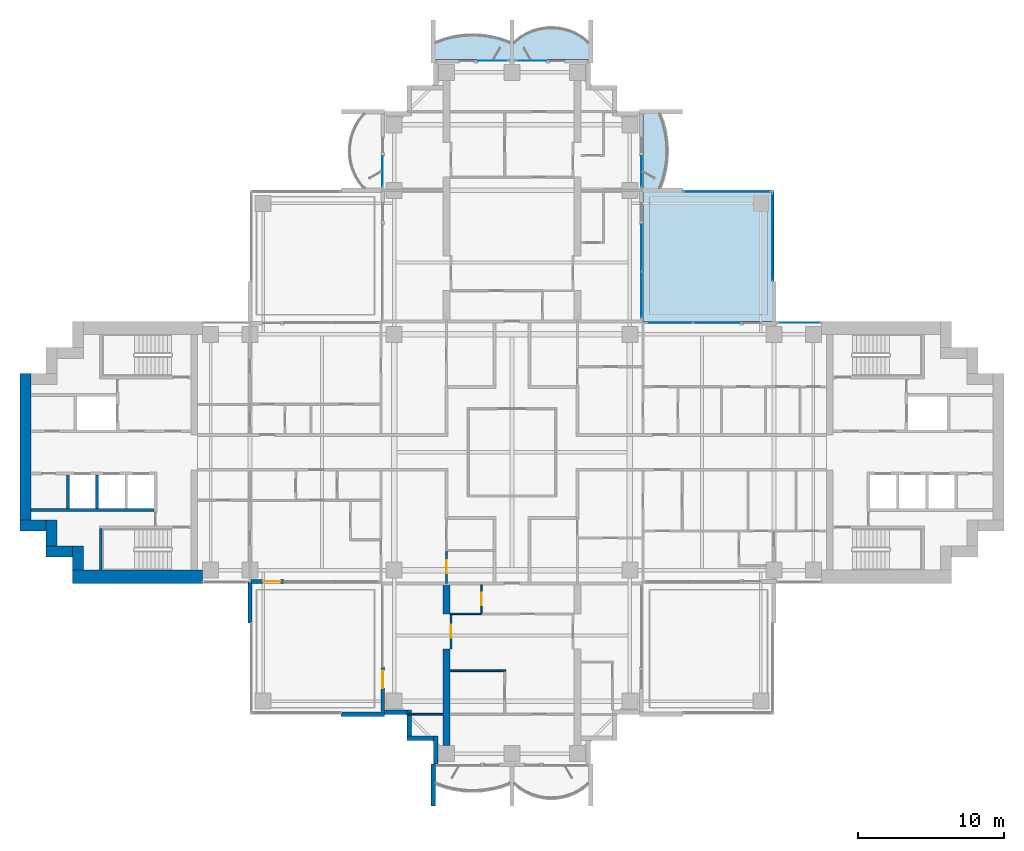
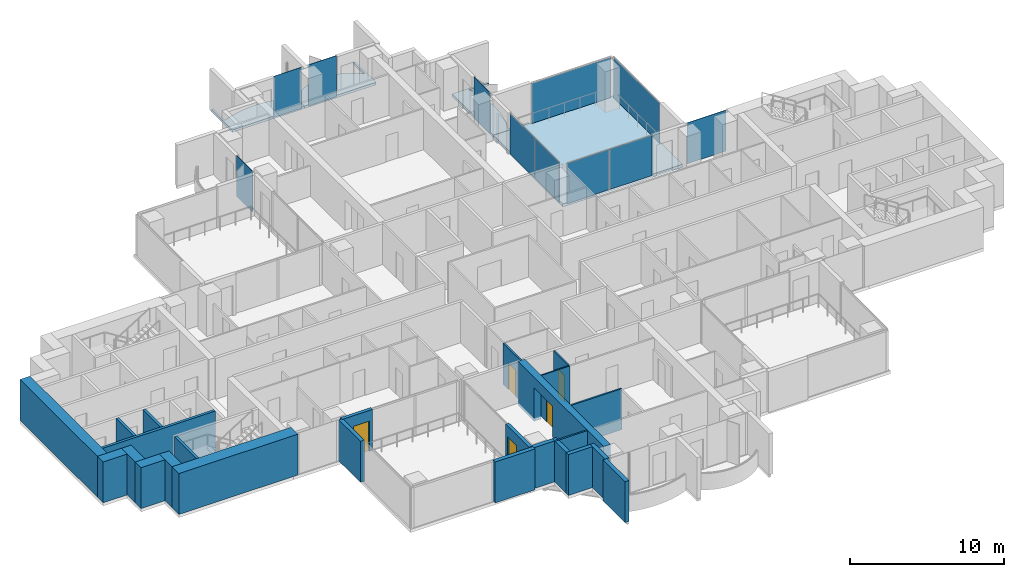
# One storey, part 8 of 19: 26 walls, 11 plates, 5 doors, 4 slabs, 5 openings, 9 elements without a shape of their own.
"""IFC4 building model written with IfcOpenShell, lengths in metres."""

from ifc_helpers import new_model, si_unit, direction, frame, frame_2d, origin, origin_2d, place, context, subcontext, project, spatial, polyline, rectangle, outline, extrude, material, layer, layer_set, material_profile, profile_set, type_object, element, fill, aggregate, save


model = new_model("IFC4")

# Units and contexts
model_context = context("Model", 3, precision=1e-05, world=origin(), true_north=direction((0.0, 1.0)))
body_context = subcontext(model_context, "Body", "Model", "MODEL_VIEW")
ifc_project = project(units=[si_unit("LENGTHUNIT", "METRE"), si_unit("AREAUNIT", "SQUARE_METRE"), si_unit("VOLUMEUNIT", "CUBIC_METRE"), si_unit("PLANEANGLEUNIT", "RADIAN"), si_unit("MASSUNIT", "GRAM", prefix="KILO")], contexts=[model_context])

# Site, building, storey
site_placement = place(None, origin())
site = spatial("IfcSite", under=ifc_project, at=site_placement, CompositionType="ELEMENT")
building_placement = place(site_placement, origin())
building = spatial("IfcBuilding", under=site, at=building_placement, Name="Perihelion Cross Residences", CompositionType="ELEMENT")
storey_placement = place(building_placement, frame((0.0, 0.0, 119.89990234375)))
storey = spatial("IfcBuildingStorey", under=building, at=storey_placement, Name="L28", CompositionType="ELEMENT", Elevation=119.89990234375)

# Slabs
ifc_material_1 = material(Name="Concrete C40/50", Category="concrete")
ifc_layer_1 = layer(ifc_material_1, 0.199951171875)
ifc_layer_set_1 = layer_set([ifc_layer_1], Name="Balcony slab 200")
slab_type_1 = type_object("IfcSlabType", Name="Balcony slab 200", PredefinedType="FLOOR", material=ifc_layer_set_1)
slab_1_placement = place(storey_placement, frame((0.0, 0.0, -0.199951171875)))
element("IfcSlab", 1, at=slab_1_placement, inside=storey, type_object=slab_type_1, Name="Slab BK1 L28 north side east bay 2 balcony", PredefinedType="FLOOR", context=body_context, shape_type="SweptSolid", body=[
    extrude(outline(polyline([(9.0, 18.0), (9.0, 23.39990234375), (11.699951171875, 23.39990234375), (11.699951171875, 23.25), (10.199951171875, 23.25), (10.423583984375, 22.612548828125), (10.57861328125, 21.97509765625), (10.669921875, 21.33740234375), (10.699951171875, 20.699951171875), (10.669921875, 20.0625), (10.57861328125, 19.425048828125), (10.423583984375, 18.78759765625), (10.199951171875, 18.14990234375), (11.699951171875, 18.14990234375), (11.699951171875, 18.0), (9.0, 18.0)])), origin(), (0.0, 0.0, 1.0), 0.199951171875),
])
slab_2_placement = place(storey_placement, frame((0.0, 0.0, -0.199951171875)))
element("IfcSlab", 2, at=slab_2_placement, inside=storey, type_object=slab_type_1, Name="Slab BK1 L28 north tip north bay 1 balcony", PredefinedType="FLOOR", context=body_context, shape_type="SweptSolid", body=[
    extrude(outline(polyline([(5.39990234375, 27.0), (0.0, 27.0), (0.0, 29.699951171875), (0.14990234375, 29.699951171875), (0.14990234375, 28.199951171875), (0.574951171875, 28.5400390625), (1.0, 28.792724609375), (1.425048828125, 28.9765625), (1.85009765625, 29.1025390625), (2.27490234375, 29.17578125), (2.699951171875, 29.199951171875), (3.125, 29.17578125), (3.550048828125, 29.1025390625), (3.97509765625, 28.9765625), (4.39990234375, 28.792724609375), (4.824951171875, 28.5400390625), (5.25, 28.199951171875), (5.25, 29.699951171875), (5.39990234375, 29.699951171875), (5.39990234375, 27.0)])), origin(), (0.0, 0.0, 1.0), 0.199951171875),
])
slab_3_placement = place(storey_placement, frame((0.0, 0.0, -0.199951171875)))
element("IfcSlab", 3, at=slab_3_placement, inside=storey, type_object=slab_type_1, Name="Slab BK1 L28 north tip north bay 2 balcony", PredefinedType="FLOOR", context=body_context, shape_type="SweptSolid", body=[
    extrude(outline(polyline([(0.0, 27.0), (-5.39990234375, 27.0), (-5.39990234375, 29.699951171875), (-5.25, 29.699951171875), (-5.25, 28.199951171875), (-4.612548828125, 28.423583984375), (-3.97509765625, 28.57861328125), (-3.33740234375, 28.669921875), (-2.699951171875, 28.699951171875), (-2.0625, 28.669921875), (-1.425048828125, 28.57861328125), (-0.78759765625, 28.423583984375), (-0.14990234375, 28.199951171875), (-0.14990234375, 29.699951171875), (0.0, 29.699951171875), (0.0, 27.0)])), origin(), (0.0, 0.0, 1.0), 0.199951171875),
])

# Curtain wall, plate
ifc_material_2 = material(Name="Bronze anodised aluminium, tinted glazing", Category="aluminium")
curtain_wall_type_1 = type_object("IfcCurtainWallType", Name="CW1", PredefinedType="NOTDEFINED", material=ifc_material_2)
curtain_wall_1_placement = place(storey_placement, origin())
curtain_wall_1 = element("IfcCurtainWall", 4, at=curtain_wall_1_placement, inside=storey, type_object=curtain_wall_type_1, Name="Curtain wall CW1 L28 east side north bay 1", PredefinedType="NOTDEFINED")
ifc_material_3 = material(Name="Tinted laminated glass", Category="glass")
ifc_layer_2 = layer(ifc_material_3, 0.028076171875)
ifc_layer_set_2 = layer_set([ifc_layer_2], Name="CW1 panel")
plate_type_1 = type_object("IfcPlateType", Name="CW1 panel", PredefinedType="CURTAIN_PANEL", material=ifc_layer_set_2)
plate_1_placement = place(storey_placement, frame((19.72509765625, 8.89990234375, 0.0), z_axis=(0.0, 0.0, 1.0), x_axis=(-1.0, 0.0, 0.0)))
plate_1 = element("IfcPlate", 5, at=plate_1_placement, type_object=plate_type_1, Name="CW1 panel 1", PredefinedType="CURTAIN_PANEL", context=body_context, shape_type="SweptSolid", body=[
    extrude(rectangle(XDim=2.929931640625, YDim=0.028076171875, at=origin_2d()), origin(), (0.0, 0.0, 1.0), 3.25),
])
aggregate(curtain_wall_1, [plate_1])

# Curtain wall, plates
curtain_wall_2_placement = place(storey_placement, origin())
curtain_wall_2 = element("IfcCurtainWall", 6, at=curtain_wall_2_placement, inside=storey, type_object=curtain_wall_type_1, Name="Curtain wall CW1 L28 east side north bay 2", PredefinedType="NOTDEFINED")
plate_2_placement = place(storey_placement, frame((14.052490234375, 8.89990234375, 0.000244140625), z_axis=(0.0, 0.0, 1.0), x_axis=(-1.0, 0.0, 0.0)))
plate_2 = element("IfcPlate", 7, at=plate_2_placement, type_object=plate_type_1, Name="CW1 panel 1", PredefinedType="CURTAIN_PANEL", context=body_context, shape_type="SweptSolid", body=[
    extrude(rectangle(XDim=3.195068359375, YDim=0.028076171875, at=origin_2d()), origin(), (0.0, 0.0, 1.0), 3.18994140625),
])
plate_3_placement = place(storey_placement, frame((10.827392578125, 8.89990234375, 0.000244140625), z_axis=(0.0, 0.0, 1.0), x_axis=(-1.0, 0.0, 0.0)))
plate_3 = element("IfcPlate", 8, at=plate_3_placement, type_object=plate_type_1, Name="CW1 panel 2", PredefinedType="CURTAIN_PANEL", context=body_context, shape_type="SweptSolid", body=[
    extrude(rectangle(XDim=3.135009765625, YDim=0.028076171875, at=origin_2d()), origin(), (0.0, 0.0, 1.0), 3.18994140625),
])
aggregate(curtain_wall_2, [plate_2, plate_3])

curtain_wall_3_placement = place(storey_placement, origin())
curtain_wall_3 = element("IfcCurtainWall", 9, at=curtain_wall_3_placement, inside=storey, type_object=curtain_wall_type_1, Name="Curtain wall CW1 L28 north side east bay 1", PredefinedType="NOTDEFINED")
plate_4_placement = place(storey_placement, frame((8.89990234375, 10.827392578125, 0.000244140625), z_axis=(0.0, 0.0, 1.0), x_axis=(0.0, 1.0, 0.0)))
plate_4 = element("IfcPlate", 10, at=plate_4_placement, type_object=plate_type_1, Name="CW1 panel 1", PredefinedType="CURTAIN_PANEL", context=body_context, shape_type="SweptSolid", body=[
    extrude(rectangle(XDim=3.135009765625, YDim=0.028076171875, at=origin_2d()), origin(), (0.0, 0.0, 1.0), 3.18994140625),
])
plate_5_placement = place(storey_placement, frame((8.89990234375, 14.052490234375, 0.000244140625), z_axis=(0.0, 0.0, 1.0), x_axis=(0.0, 1.0, 0.0)))
plate_5 = element("IfcPlate", 11, at=plate_5_placement, type_object=plate_type_1, Name="CW1 panel 2", PredefinedType="CURTAIN_PANEL", context=body_context, shape_type="SweptSolid", body=[
    extrude(rectangle(XDim=3.195068359375, YDim=0.028076171875, at=origin_2d()), origin(), (0.0, 0.0, 1.0), 3.18994140625),
])
aggregate(curtain_wall_3, [plate_4, plate_5])

# Curtain wall, plate
curtain_wall_4_placement = place(storey_placement, origin())
curtain_wall_4 = element("IfcCurtainWall", 12, at=curtain_wall_4_placement, inside=storey, type_object=curtain_wall_type_1, Name="Curtain wall CW1 L28 north side east bay 2", PredefinedType="NOTDEFINED")
plate_6_placement = place(storey_placement, frame((8.89990234375, 19.304931640625, 0.0), z_axis=(0.0, 0.0, 1.0), x_axis=(0.0, 1.0, 0.0)))
plate_6 = element("IfcPlate", 13, at=plate_6_placement, type_object=plate_type_1, Name="CW1 panel 1", PredefinedType="CURTAIN_PANEL", context=body_context, shape_type="SweptSolid", body=[
    extrude(rectangle(XDim=2.090087890625, YDim=0.028076171875, at=origin_2d()), origin(), (0.0, 0.0, 1.0), 3.25),
])
aggregate(curtain_wall_4, [plate_6])

curtain_wall_5_placement = place(storey_placement, origin())
curtain_wall_5 = element("IfcCurtainWall", 14, at=curtain_wall_5_placement, inside=storey, type_object=curtain_wall_type_1, Name="Curtain wall CW1 L28 north tip north bay 1", PredefinedType="NOTDEFINED")
plate_7_placement = place(storey_placement, frame((1.304931640625, 26.89990234375, 0.0), z_axis=(0.0, 0.0, 1.0), x_axis=(-1.0, 0.0, 0.0)))
plate_7 = element("IfcPlate", 15, at=plate_7_placement, type_object=plate_type_1, Name="CW1 panel 1", PredefinedType="CURTAIN_PANEL", context=body_context, shape_type="SweptSolid", body=[
    extrude(rectangle(XDim=2.090087890625, YDim=0.028076171875, at=origin_2d()), origin(), (0.0, 0.0, 1.0), 3.25),
])
aggregate(curtain_wall_5, [plate_7])

curtain_wall_6_placement = place(storey_placement, origin())
curtain_wall_6 = element("IfcCurtainWall", 16, at=curtain_wall_6_placement, inside=storey, type_object=curtain_wall_type_1, Name="Curtain wall CW1 L28 north tip north bay 2", PredefinedType="NOTDEFINED")
plate_8_placement = place(storey_placement, frame((-1.304931640625, 26.89990234375, 0.0), z_axis=(0.0, 0.0, 1.0), x_axis=(-1.0, 0.0, 0.0)))
plate_8 = element("IfcPlate", 17, at=plate_8_placement, type_object=plate_type_1, Name="CW1 panel 1", PredefinedType="CURTAIN_PANEL", context=body_context, shape_type="SweptSolid", body=[
    extrude(rectangle(XDim=2.090087890625, YDim=0.028076171875, at=origin_2d()), origin(), (0.0, 0.0, 1.0), 3.25),
])
aggregate(curtain_wall_6, [plate_8])

curtain_wall_7_placement = place(storey_placement, origin())
curtain_wall_7 = element("IfcCurtainWall", 18, at=curtain_wall_7_placement, inside=storey, type_object=curtain_wall_type_1, Name="Curtain wall CW1 L28 north side west bay 1", PredefinedType="NOTDEFINED")
plate_9_placement = place(storey_placement, frame((-8.89990234375, 19.304931640625, 0.0), z_axis=(0.0, 0.0, 1.0), x_axis=(0.0, -1.0, 0.0)))
plate_9 = element("IfcPlate", 19, at=plate_9_placement, type_object=plate_type_1, Name="CW1 panel 1", PredefinedType="CURTAIN_PANEL", context=body_context, shape_type="SweptSolid", body=[
    extrude(rectangle(XDim=2.090087890625, YDim=0.028076171875, at=origin_2d()), origin(), (0.0, 0.0, 1.0), 3.25),
])
aggregate(curtain_wall_7, [plate_9])

ifc_material_4 = material(Name="Bronze anodised aluminium, tinted glazing", Category="aluminium")
curtain_wall_type_2 = type_object("IfcCurtainWallType", Name="CW4", PredefinedType="NOTDEFINED", material=ifc_material_4)
curtain_wall_8_placement = place(storey_placement, origin())
curtain_wall_8 = element("IfcCurtainWall", 20, at=curtain_wall_8_placement, inside=storey, type_object=curtain_wall_type_2, Name="Curtain wall CW4 L28 pocket north-east 1 1", PredefinedType="NOTDEFINED")
ifc_material_5 = material(Name="Tinted laminated glass", Category="glass")
ifc_layer_3 = layer(ifc_material_5, 0.030029296875)
ifc_layer_set_3 = layer_set([ifc_layer_3], Name="CW4 panel")
plate_type_2 = type_object("IfcPlateType", Name="CW4 panel", PredefinedType="CURTAIN_PANEL", material=ifc_layer_set_3)
plate_10_placement = place(storey_placement, frame((14.784912109375, 17.89990234375, 0.000244140625), z_axis=(0.0, 0.0, 1.0), x_axis=(1.0, 0.0, 0.0)))
plate_10 = element("IfcPlate", 21, at=plate_10_placement, type_object=plate_type_2, Name="CW4 panel 1", PredefinedType="CURTAIN_PANEL", context=body_context, shape_type="SweptSolid", body=[
    extrude(rectangle(XDim=5.969970703125, YDim=0.030029296875, at=origin_2d()), origin(), (0.0, 0.0, 1.0), 3.18994140625),
])
aggregate(curtain_wall_8, [plate_10])

curtain_wall_9_placement = place(storey_placement, origin())
curtain_wall_9 = element("IfcCurtainWall", 22, at=curtain_wall_9_placement, inside=storey, type_object=curtain_wall_type_2, Name="Curtain wall CW4 L28 pocket north-east 1 2", PredefinedType="NOTDEFINED")
plate_11_placement = place(storey_placement, frame((17.89990234375, 14.784912109375, 0.000244140625), z_axis=(0.0, 0.0, 1.0), x_axis=(0.0, -1.0, 0.0)))
plate_11 = element("IfcPlate", 23, at=plate_11_placement, type_object=plate_type_2, Name="CW4 panel 1", PredefinedType="CURTAIN_PANEL", context=body_context, shape_type="SweptSolid", body=[
    extrude(rectangle(XDim=5.969970703125, YDim=0.030029296875, at=origin_2d()), origin(), (0.0, 0.0, 1.0), 3.18994140625),
])
aggregate(curtain_wall_9, [plate_11])

# Slab
ifc_material_6 = material(Name="Concrete C40/50", Category="concrete")
ifc_layer_4 = layer(ifc_material_6, 0.25)
ifc_layer_set_4 = layer_set([ifc_layer_4], Name="Winter garden slab")
slab_type_2 = type_object("IfcSlabType", Name="Winter garden slab", PredefinedType="FLOOR", material=ifc_layer_set_4)
slab_4_placement = place(storey_placement, frame((0.0, 0.0, -0.25)))
element("IfcSlab", 24, at=slab_4_placement, inside=storey, type_object=slab_type_2, Name="Slab BK3 L28 pocket north-east", PredefinedType="FLOOR", context=body_context, shape_type="SweptSolid", body=[
    extrude(outline(polyline([(18.0, 9.0), (18.0, 18.0), (9.0, 18.0), (9.0, 9.0), (18.0, 9.0)])), origin(), (0.0, 0.0, 1.0), 0.25),
])

# Wall, opening, door
ifc_material_7 = material(Name="Concrete C30/37, bronze-clad", Category="concrete")
ifc_layer_5 = layer(ifc_material_7, 0.25)
ifc_layer_set_5 = layer_set([ifc_layer_5], Name="Bronze-clad pier wall 250")
wall_type_1 = type_object("IfcWallType", Name="Bronze-clad pier wall 250", PredefinedType="SOLIDWALL", material=ifc_layer_set_5)
wall_1_placement = place(storey_placement, frame((-17.93994140625, -8.875, 0.0), z_axis=(0.0, 0.0, 1.0), x_axis=(1.0, 0.0, 0.0)))
wall_1 = element("IfcWall", 25, at=wall_1_placement, inside=storey, type_object=wall_type_1, Name="Wall FW1 L28 west side south bay 2 pier", PredefinedType="SOLIDWALL", context=body_context, shape_type="SweptSolid", body=[
    extrude(rectangle(XDim=2.2900390625, YDim=0.25, at=frame_2d((1.14501953125, 0.0))), origin(), (0.0, 0.0, 1.0), 3.25),
])
opening_1_placement = place(wall_1_placement, frame((0.840087890625, 0.0, 0.0)))
opening_1 = element("IfcOpeningElement", 26, at=opening_1_placement, cuts=wall_1, Name="Opening L28.E09", PredefinedType="OPENING", context=body_context, shape_type="SweptSolid", body=[
    extrude(rectangle(XDim=1.199951171875, YDim=2.39990234375, at=frame_2d((0.60009765625, 1.199951171875))), frame((0.0, 0.135009765625, 0.0), z_axis=(0.0, -1.0, 0.0), x_axis=(1.0, 0.0, 0.0)), (0.0, 0.0, 1.0), 0.27001953125),
])
ifc_material_8 = material(Name="Bronze anodised aluminium, glazed", Category="aluminium")
door_type_1 = type_object("IfcDoorType", Name="Balcony door 1200 x 2400", OperationType="NOTDEFINED", PredefinedType="DOOR", material=ifc_material_8)
door_1_placement = place(opening_1_placement, origin())
door_1 = element("IfcDoor", 27, at=door_1_placement, inside=storey, type_object=door_type_1, Name="Door L28.E09 west side south bay 2", OperationType="SINGLE_SWING_RIGHT", OverallHeight=2.39990234375, OverallWidth=1.199951171875, PredefinedType="DOOR", context=body_context, shape_type="SweptSolid", body=[
    extrude(rectangle(XDim=1.199951171875, YDim=2.39990234375, at=frame_2d((0.60009765625, 1.199951171875))), frame((0.0, 0.02490234375, 0.0), z_axis=(0.0, -1.0, 0.0), x_axis=(1.0, 0.0, 0.0)), (0.0, 0.0, 1.0), 0.050048828125),
])
fill(opening_1, door_1)

wall_2_placement = place(storey_placement, frame((-8.875, -14.75, 0.0), z_axis=(0.0, 0.0, 1.0), x_axis=(0.0, -1.0, 0.0)))
wall_2 = element("IfcWall", 28, at=wall_2_placement, inside=storey, type_object=wall_type_1, Name="Wall FW1 L28 south side west bay 1 pier", PredefinedType="SOLIDWALL", context=body_context, shape_type="SweptSolid", body=[
    extrude(rectangle(XDim=3.050048828125, YDim=0.25, at=frame_2d((1.52490234375, 0.0))), origin(), (0.0, 0.0, 1.0), 3.25),
])
opening_2_placement = place(wall_2_placement, frame((0.25, 0.0, 0.0)))
opening_2 = element("IfcOpeningElement", 29, at=opening_2_placement, cuts=wall_2, Name="Opening L28.E10", PredefinedType="OPENING", context=body_context, shape_type="SweptSolid", body=[
    extrude(rectangle(XDim=1.199951171875, YDim=2.39990234375, at=frame_2d((0.60009765625, 1.199951171875))), frame((0.0, 0.135009765625, 0.0), z_axis=(0.0, -1.0, 0.0), x_axis=(1.0, 0.0, 0.0)), (0.0, 0.0, 1.0), 0.27001953125),
])
door_2_placement = place(opening_2_placement, origin())
door_2 = element("IfcDoor", 30, at=door_2_placement, inside=storey, type_object=door_type_1, Name="Door L28.E10 south side west bay 1", OperationType="SINGLE_SWING_LEFT", OverallHeight=2.39990234375, OverallWidth=1.199951171875, PredefinedType="DOOR", context=body_context, shape_type="SweptSolid", body=[
    extrude(rectangle(XDim=1.199951171875, YDim=2.39990234375, at=frame_2d((0.60009765625, 1.199951171875))), frame((0.0, 0.02490234375, 0.0), z_axis=(0.0, -1.0, 0.0), x_axis=(1.0, 0.0, 0.0)), (0.0, 0.0, 1.0), 0.050048828125),
])
fill(opening_2, door_2)

# Walls
ifc_material_9 = material(Name="Concrete C30/37, bronze-clad", Category="concrete")
ifc_layer_6 = layer(ifc_material_9, 0.300048828125)
ifc_layer_set_6 = layer_set([ifc_layer_6], Name="Bronze-clad serration wall 300")
wall_type_2 = type_object("IfcWallType", Name="Bronze-clad serration wall 300", PredefinedType="SOLIDWALL", material=ifc_layer_set_6)
wall_3_placement = place(storey_placement, frame((-8.75, -17.85009765625, 0.0), z_axis=(0.0, 0.0, 1.0), x_axis=(1.0, 0.0, 0.0)))
element("IfcWall", 31, at=wall_3_placement, inside=storey, type_object=wall_type_2, Name="Wall SR1 L28 south corner south-west 1", PredefinedType="SOLIDWALL", context=body_context, shape_type="SweptSolid", body=[
    extrude(rectangle(XDim=1.550048828125, YDim=0.300048828125, at=frame_2d((0.77490234375, 0.0))), origin(), (0.0, 0.0, 1.0), 3.25),
])
for number, where, z_axis, x_axis, name in (
    (32, (-7.050048828125, -17.699951171875, 0.0), (0.0, 0.0, 1.0), (0.0, -1.0, 0.0), "Wall SR1 L28 south corner south-west 2"),
    (33, (-7.199951171875, -19.64990234375, 0.0), (0.0, 0.0, 1.0), (1.0, 0.0, 0.0), "Wall SR1 L28 south corner south-west 3"),
):
    element("IfcWall", number, at=place(storey_placement, frame(where, z_axis=z_axis, x_axis=x_axis)), inside=storey, type_object=wall_type_2, Name=name, PredefinedType="SOLIDWALL", context=body_context, shape_type="SweptSolid", body=[
        extrude(rectangle(XDim=1.800048828125, YDim=0.300048828125, at=frame_2d((0.89990234375, 0.0))), origin(), (0.0, 0.0, 1.0), 3.25),
    ])
wall_4_placement = place(storey_placement, frame((-5.25, -19.5, 0.0), z_axis=(0.0, 0.0, 1.0), x_axis=(0.0, -1.0, 0.0)))
element("IfcWall", 34, at=wall_4_placement, inside=storey, type_object=wall_type_2, Name="Wall SR1 L28 south corner south-west 4", PredefinedType="SOLIDWALL", context=body_context, shape_type="SweptSolid", body=[
    extrude(rectangle(XDim=1.919921875, YDim=0.300048828125, at=frame_2d((0.9599609375, 0.0))), origin(), (0.0, 0.0, 1.0), 3.25),
])
ifc_material_10 = material(Name="Concrete C60/75", Category="concrete")
ifc_layer_7 = layer(ifc_material_10, 0.75)
ifc_layer_set_7 = layer_set([ifc_layer_7], Name="Core wall, outer 750")
wall_type_3 = type_object("IfcWallType", Name="Core wall, outer 750", PredefinedType="SHEAR", material=ifc_layer_set_7)
wall_5_placement = place(storey_placement, frame((-29.824951171875, -8.10009765625, 0.0), z_axis=(0.0, 0.0, 1.0), x_axis=(0.0, 1.0, 0.0)))
element("IfcWall", 35, at=wall_5_placement, inside=storey, type_object=wall_type_3, Name="West core core wall, outer", PredefinedType="SHEAR", context=body_context, shape_type="SweptSolid", body=[
    extrude(rectangle(XDim=1.650146484375, YDim=0.75, at=frame_2d((0.8251953125, 0.0))), origin(), (0.0, 0.0, 1.0), 3.25),
])
for number, where, z_axis, x_axis, name in (
    (36, (-32.0, -6.824951171875, 0.0), (0.0, 0.0, 1.0), (1.0, 0.0, 0.0), "West core core wall, outer"),
    (37, (-31.625, -6.449951171875, 0.0), (0.0, 0.0, 1.0), (0.0, 1.0, 0.0), "West core core wall, outer"),
    (38, (-33.800048828125, -5.02490234375, 0.0), (0.0, 0.0, 1.0), (1.0, 0.0, 0.0), "West core core wall, outer"),
):
    element("IfcWall", number, at=place(storey_placement, frame(where, z_axis=z_axis, x_axis=x_axis)), inside=storey, type_object=wall_type_3, Name=name, PredefinedType="SHEAR", context=body_context, shape_type="SweptSolid", body=[
        extrude(rectangle(XDim=1.800048828125, YDim=0.75, at=frame_2d((0.89990234375, 0.0))), origin(), (0.0, 0.0, 1.0), 3.25),
    ])
wall_6_placement = place(storey_placement, frame((-33.425048828125, -4.64990234375, 0.0), z_axis=(0.0, 0.0, 1.0), x_axis=(0.0, 1.0, 0.0)))
element("IfcWall", 39, at=wall_6_placement, inside=storey, type_object=wall_type_3, Name="West core core wall, outer", PredefinedType="SHEAR", context=body_context, shape_type="SweptSolid", body=[
    extrude(rectangle(XDim=10.0498046875, YDim=0.75, at=frame_2d((5.02490234375, 0.0))), origin(), (0.0, 0.0, 1.0), 3.25),
])
ifc_material_11 = material(Name="Concrete C60/75", Category="concrete")
ifc_layer_8 = layer(ifc_material_11, 0.89990234375)
ifc_layer_set_8 = layer_set([ifc_layer_8], Name="Core wall, outer 900")
wall_type_4 = type_object("IfcWallType", Name="Core wall, outer 900", PredefinedType="SHEAR", material=ifc_layer_set_8)
wall_7_placement = place(storey_placement, frame((-30.199951171875, -8.550048828125, 0.0), z_axis=(0.0, 0.0, 1.0), x_axis=(1.0, 0.0, 0.0)))
element("IfcWall", 40, at=wall_7_placement, inside=storey, type_object=wall_type_4, Name="West core core wall, outer", PredefinedType="SHEAR", context=body_context, shape_type="SweptSolid", body=[
    extrude(rectangle(XDim=8.949951171875, YDim=0.89990234375, at=frame_2d((4.47509765625, 0.0))), origin(), (0.0, 0.0, 1.0), 3.25),
])

# Wall, opening, door
ifc_material_12 = material(Name="Plasterboard partition")
ifc_layer_9 = layer(ifc_material_12, 0.1201171875)
ifc_layer_set_9 = layer_set([ifc_layer_9], Name="Infill panel 120")
wall_type_5 = type_object("IfcWallType", Name="Infill panel 120", PredefinedType="PARTITIONING", material=ifc_layer_set_9)
wall_8_placement = place(storey_placement, frame((-4.18994140625, -11.10009765625, 0.0), z_axis=(0.0, 0.0, 1.0), x_axis=(0.0, -1.0, 0.0)))
wall_8 = element("IfcWall", 41, at=wall_8_placement, inside=storey, type_object=wall_type_5, Name="Partition L28 WI06", PredefinedType="PARTITIONING", context=body_context, shape_type="SweptSolid", body=[
    extrude(rectangle(XDim=2.39990234375, YDim=0.1201171875, at=frame_2d((1.199951171875, 0.0))), origin(), (0.0, 0.0, 1.0), 2.400146484375),
])
opening_3_placement = place(wall_8_placement, frame((0.75, 0.0, 0.0)))
opening_3 = element("IfcOpeningElement", 42, at=opening_3_placement, cuts=wall_8, Name="Opening L28.A58", PredefinedType="OPENING", context=body_context, shape_type="SweptSolid", body=[
    extrude(rectangle(XDim=0.89990234375, YDim=2.10009765625, at=frame_2d((0.449951171875, 1.050048828125))), frame((0.0, 0.070068359375, 0.0), z_axis=(0.0, -1.0, 0.0), x_axis=(1.0, 0.0, 0.0)), (0.0, 0.0, 1.0), 0.14013671875),
])
ifc_material_13 = material(Name="Timber door leaf", Category="wood")
door_type_2 = type_object("IfcDoorType", Name="Interior room door 900 x 2100", OperationType="SINGLE_SWING_LEFT", PredefinedType="DOOR", material=ifc_material_13)
door_3_placement = place(opening_3_placement, origin())
door_3 = element("IfcDoor", 43, at=door_3_placement, inside=storey, type_object=door_type_2, Name="Door L28.A58", OperationType="SINGLE_SWING_RIGHT", OverallHeight=2.10009765625, OverallWidth=0.89990234375, PredefinedType="DOOR", context=body_context, shape_type="SweptSolid", body=[
    extrude(rectangle(XDim=0.89990234375, YDim=2.10009765625, at=frame_2d((0.449951171875, 1.050048828125))), frame((0.0, 0.02490234375, 0.0), z_axis=(0.0, -1.0, 0.0), x_axis=(1.0, 0.0, 0.0)), (0.0, 0.0, 1.0), 0.050048828125),
])
fill(opening_3, door_3)

ifc_material_14 = material(Name="Plasterboard partition")
ifc_layer_10 = layer(ifc_material_14, 0.1201171875)
ifc_layer_set_10 = layer_set([ifc_layer_10], Name="Partition wall 120")
wall_type_6 = type_object("IfcWallType", Name="Partition wall 120", PredefinedType="PARTITIONING", material=ifc_layer_set_10)
wall_9_placement = place(storey_placement, frame((-4.5, -6.75, 0.0), z_axis=(0.0, 0.0, 1.0), x_axis=(0.0, -1.0, 0.0)))
wall_9 = element("IfcWall", 44, at=wall_9_placement, inside=storey, type_object=wall_type_6, Name="Partition L28 W064", PredefinedType="PARTITIONING", context=body_context, shape_type="SweptSolid", body=[
    extrude(rectangle(XDim=2.25, YDim=0.1201171875, at=frame_2d((1.125, 0.0))), origin(), (0.0, 0.0, 1.0), 3.25),
])
opening_4_placement = place(wall_9_placement, frame((0.675048828125, 0.0, 0.0)))
opening_4 = element("IfcOpeningElement", 45, at=opening_4_placement, cuts=wall_9, Name="Opening L28.A31", PredefinedType="OPENING", context=body_context, shape_type="SweptSolid", body=[
    extrude(rectangle(XDim=0.89990234375, YDim=2.10009765625, at=frame_2d((0.449951171875, 1.050048828125))), frame((0.0, 0.070068359375, 0.0), z_axis=(0.0, -1.0, 0.0), x_axis=(1.0, 0.0, 0.0)), (0.0, 0.0, 1.0), 0.14013671875),
])
door_4_placement = place(opening_4_placement, origin())
door_4 = element("IfcDoor", 46, at=door_4_placement, inside=storey, type_object=door_type_2, Name="Door L28.A31", OperationType="SINGLE_SWING_LEFT", OverallHeight=2.10009765625, OverallWidth=0.89990234375, PredefinedType="DOOR", context=body_context, shape_type="SweptSolid", body=[
    extrude(rectangle(XDim=0.89990234375, YDim=2.10009765625, at=frame_2d((0.449951171875, 1.050048828125))), frame((0.0, 0.02490234375, 0.0), z_axis=(0.0, -1.0, 0.0), x_axis=(1.0, 0.0, 0.0)), (0.0, 0.0, 1.0), 0.050048828125),
])
fill(opening_4, door_4)

# Walls
wall_10_placement = place(storey_placement, frame((-0.43994140625, -15.0, 0.0), z_axis=(0.0, 0.0, 1.0), x_axis=(-1.0, 0.0, 0.0)))
element("IfcWall", 47, at=wall_10_placement, inside=storey, type_object=wall_type_6, Name="Partition L28 W086", PredefinedType="PARTITIONING", context=body_context, shape_type="SweptSolid", body=[
    extrude(rectangle(XDim=3.81005859375, YDim=0.1201171875, at=frame_2d((1.905029296875, 0.0))), origin(), (0.0, 0.0, 1.0), 3.25),
])
wall_11_placement = place(storey_placement, frame((-4.75, -18.0, 0.0), z_axis=(0.0, 0.0, 1.0), x_axis=(-1.0, 0.0, 0.0)))
element("IfcWall", 48, at=wall_11_placement, inside=storey, type_object=wall_type_6, Name="Partition L28 W091", PredefinedType="PARTITIONING", context=body_context, shape_type="SweptSolid", body=[
    extrude(rectangle(XDim=2.3701171875, YDim=0.1201171875, at=frame_2d((1.18505859375, 0.0))), origin(), (0.0, 0.0, 1.0), 3.25),
])
ifc_material_15 = material(Name="Precast concrete C50/60", Category="concrete")
ifc_layer_11 = layer(ifc_material_15, 0.300048828125)
ifc_layer_set_11 = layer_set([ifc_layer_11], Name="Precast concrete C50/60 blade wall 300")
wall_type_7 = type_object("IfcWallType", Name="Precast concrete C50/60 blade wall 300", PredefinedType="SOLIDWALL", material=ifc_layer_set_11)
wall_12_placement = place(storey_placement, frame((-18.0, -8.919921875, 0.0), z_axis=(0.0, 0.0, 1.0), x_axis=(0.0, -1.0, 0.0)))
element("IfcWall", 49, at=wall_12_placement, inside=storey, type_object=wall_type_7, Name="Wall BL1 L28 no. 1", PredefinedType="SOLIDWALL", context=body_context, shape_type="SweptSolid", body=[
    extrude(rectangle(XDim=2.820068359375, YDim=0.300048828125, at=frame_2d((1.41015625, 0.0))), origin(), (0.0, 0.0, 1.0), 3.25),
])
wall_13_placement = place(storey_placement, frame((-8.75, -18.0, 0.0), z_axis=(0.0, 0.0, 1.0), x_axis=(-1.0, 0.0, 0.0)))
element("IfcWall", 50, at=wall_13_placement, inside=storey, type_object=wall_type_7, Name="Wall BL1 L28 no. 5", PredefinedType="SOLIDWALL", context=body_context, shape_type="SweptSolid", body=[
    extrude(rectangle(XDim=2.989990234375, YDim=0.300048828125, at=frame_2d((1.4951171875, 0.0))), origin(), (0.0, 0.0, 1.0), 3.25),
])
wall_14_placement = place(storey_placement, frame((-5.39990234375, -21.419921875, 0.0), z_axis=(0.0, 0.0, 1.0), x_axis=(0.0, -1.0, 0.0)))
element("IfcWall", 51, at=wall_14_placement, inside=storey, type_object=wall_type_7, Name="Wall BL1 L28 no. 3", PredefinedType="SOLIDWALL", context=body_context, shape_type="SweptSolid", body=[
    extrude(rectangle(XDim=2.880126953125, YDim=0.300048828125, at=frame_2d((1.43994140625, 0.0))), origin(), (0.0, 0.0, 1.0), 3.25),
])
ifc_material_16 = material(Name="Concrete C50/60", Category="concrete")
ifc_layer_12 = layer(ifc_material_16, 0.199951171875)
ifc_layer_set_12 = layer_set([ifc_layer_12], Name="Shaft wall 200")
wall_type_8 = type_object("IfcWallType", Name="Shaft wall 200", PredefinedType="SOLIDWALL", material=ifc_layer_set_12)
wall_15_placement = place(storey_placement, frame((-33.050048828125, -3.949951171875, 0.0), z_axis=(0.0, 0.0, 1.0), x_axis=(1.0, 0.0, 0.0)))
element("IfcWall", 52, at=wall_15_placement, inside=storey, type_object=wall_type_8, Name="West core shaft wall", PredefinedType="SOLIDWALL", context=body_context, shape_type="SweptSolid", body=[
    extrude(rectangle(XDim=8.449951171875, YDim=0.199951171875, at=frame_2d((4.22509765625, 0.0))), origin(), (0.0, 0.0, 1.0), 3.25),
])
for number, where, z_axis, x_axis, name in (
    (53, (-28.5, -3.85009765625, 0.0), (0.0, 0.0, 1.0), (0.0, 1.0, 0.0), "West core shaft wall"),
    (54, (-30.5, -3.85009765625, 0.0), (0.0, 0.0, 1.0), (0.0, 1.0, 0.0), "West core shaft wall"),
):
    element("IfcWall", number, at=place(storey_placement, frame(where, z_axis=z_axis, x_axis=x_axis)), inside=storey, type_object=wall_type_8, Name=name, PredefinedType="SOLIDWALL", context=body_context, shape_type="SweptSolid", body=[
        extrude(rectangle(XDim=2.300048828125, YDim=0.199951171875, at=frame_2d((1.14990234375, 0.0))), origin(), (0.0, 0.0, 1.0), 3.25),
    ])
ifc_material_17 = material(Name="Concrete C50/60", Category="concrete")
ifc_layer_13 = layer(ifc_material_17, 0.199951171875)
ifc_layer_set_13 = layer_set([ifc_layer_13], Name="Stair wall 200")
wall_type_9 = type_object("IfcWallType", Name="Stair wall 200", PredefinedType="SOLIDWALL", material=ifc_layer_set_13)
wall_16_placement = place(storey_placement, frame((-28.25, -8.10009765625, 0.0), z_axis=(0.0, 0.0, 1.0), x_axis=(0.0, 1.0, 0.0)))
element("IfcWall", 55, at=wall_16_placement, inside=storey, type_object=wall_type_9, Name="West core stair wall", PredefinedType="SOLIDWALL", context=body_context, shape_type="SweptSolid", body=[
    extrude(rectangle(XDim=2.85009765625, YDim=0.199951171875, at=frame_2d((1.425048828125, 0.0))), origin(), (0.0, 0.0, 1.0), 3.25),
])
ifc_material_18 = material(Name="Concrete C60/75", Category="concrete")
ifc_material_profile = material_profile(ifc_material_18, outline(polyline([(0.0, 0.0), (6.64990234375, 0.0), (6.64990234375, 2.64990234375), (9.050048828125, 2.64990234375), (9.050048828125, 0.0), (11.14990234375, 0.0), (11.14990234375, 3.5), (0.0, 3.5), (0.0, 0.0)])), Name="Tip spine wall")
ifc_profile_set = profile_set([ifc_material_profile], Name="Concrete C60/75")
wall_type_10 = type_object("IfcWallType", Name="Tip spine wall 500 with 1 door openings 11150 long 3500 high concrete C60/75", PredefinedType="SHEAR", material=ifc_profile_set)
wall_17_placement = place(storey_placement, frame((-4.75, -20.14990234375, -0.25), z_axis=(1.0, 0.0, 0.0), x_axis=(0.0, 1.0, 0.0)))
element("IfcWall", 56, at=wall_17_placement, inside=storey, type_object=wall_type_10, Name="Shear wall SW33 L28 south west", PredefinedType="SHEAR", context=body_context, shape_type="SweptSolid", body=[
    extrude(outline(polyline([(0.0, 0.0), (6.64990234375, 0.0), (6.64990234375, 2.64990234375), (9.050048828125, 2.64990234375), (9.050048828125, 0.0), (11.14990234375, 0.0), (11.14990234375, 3.5), (0.0, 3.5), (0.0, 0.0)])), origin(), (0.0, 0.0, 1.0), 0.5),
])

# Wall, opening, door
ifc_material_19 = material(Name="Plasterboard partition")
ifc_layer_14 = layer(ifc_material_19, 0.10009765625)
ifc_layer_set_14 = layer_set([ifc_layer_14], Name="Wet room wall 100")
wall_type_11 = type_object("IfcWallType", Name="Wet room wall 100", PredefinedType="PARTITIONING", material=ifc_layer_set_14)
wall_18_placement = place(storey_placement, frame((-2.10009765625, -11.0400390625, 0.0), z_axis=(0.0, 0.0, 1.0), x_axis=(0.0, 1.0, 0.0)))
wall_18 = element("IfcWall", 57, at=wall_18_placement, inside=storey, type_object=wall_type_11, Name="Partition L28 W082", PredefinedType="PARTITIONING", context=body_context, shape_type="SweptSolid", body=[
    extrude(rectangle(XDim=1.93994140625, YDim=0.10009765625, at=frame_2d((0.969970703125, 0.0))), origin(), (0.0, 0.0, 1.0), 3.25),
])
opening_5_placement = place(wall_18_placement, frame((0.544921875, 0.0, 0.0)))
opening_5 = element("IfcOpeningElement", 58, at=opening_5_placement, cuts=wall_18, Name="Opening L28.A44", PredefinedType="OPENING", context=body_context, shape_type="SweptSolid", body=[
    extrude(rectangle(XDim=0.85009765625, YDim=2.10009765625, at=frame_2d((0.425048828125, 1.050048828125))), frame((0.0, 0.06005859375, 0.0), z_axis=(0.0, -1.0, 0.0), x_axis=(1.0, 0.0, 0.0)), (0.0, 0.0, 1.0), 0.1201171875),
])
ifc_material_20 = material(Name="Timber door leaf", Category="wood")
door_type_3 = type_object("IfcDoorType", Name="Interior bathroom door 850 x 2100", OperationType="SINGLE_SWING_LEFT", PredefinedType="DOOR", material=ifc_material_20)
door_5_placement = place(opening_5_placement, origin())
door_5 = element("IfcDoor", 59, at=door_5_placement, inside=storey, type_object=door_type_3, Name="Door L28.A44", OperationType="SINGLE_SWING_RIGHT", OverallHeight=2.10009765625, OverallWidth=0.85009765625, PredefinedType="DOOR", context=body_context, shape_type="SweptSolid", body=[
    extrude(rectangle(XDim=0.85009765625, YDim=2.10009765625, at=frame_2d((0.425048828125, 1.050048828125))), frame((0.0, 0.02490234375, 0.0), z_axis=(0.0, -1.0, 0.0), x_axis=(1.0, 0.0, 0.0)), (0.0, 0.0, 1.0), 0.050048828125),
])
fill(opening_5, door_5)

# Wall
wall_19_placement = place(storey_placement, frame((-2.10009765625, -11.10009765625, 0.0), z_axis=(0.0, 0.0, 1.0), x_axis=(-1.0, 0.0, 0.0)))
element("IfcWall", 60, at=wall_19_placement, inside=storey, type_object=wall_type_11, Name="Partition L28 W084", PredefinedType="PARTITIONING", context=body_context, shape_type="SweptSolid", body=[
    extrude(rectangle(XDim=2.14990234375, YDim=0.10009765625, at=frame_2d((1.074951171875, 0.0))), origin(), (0.0, 0.0, 1.0), 3.25),
])

save(model, "model.ifc")
